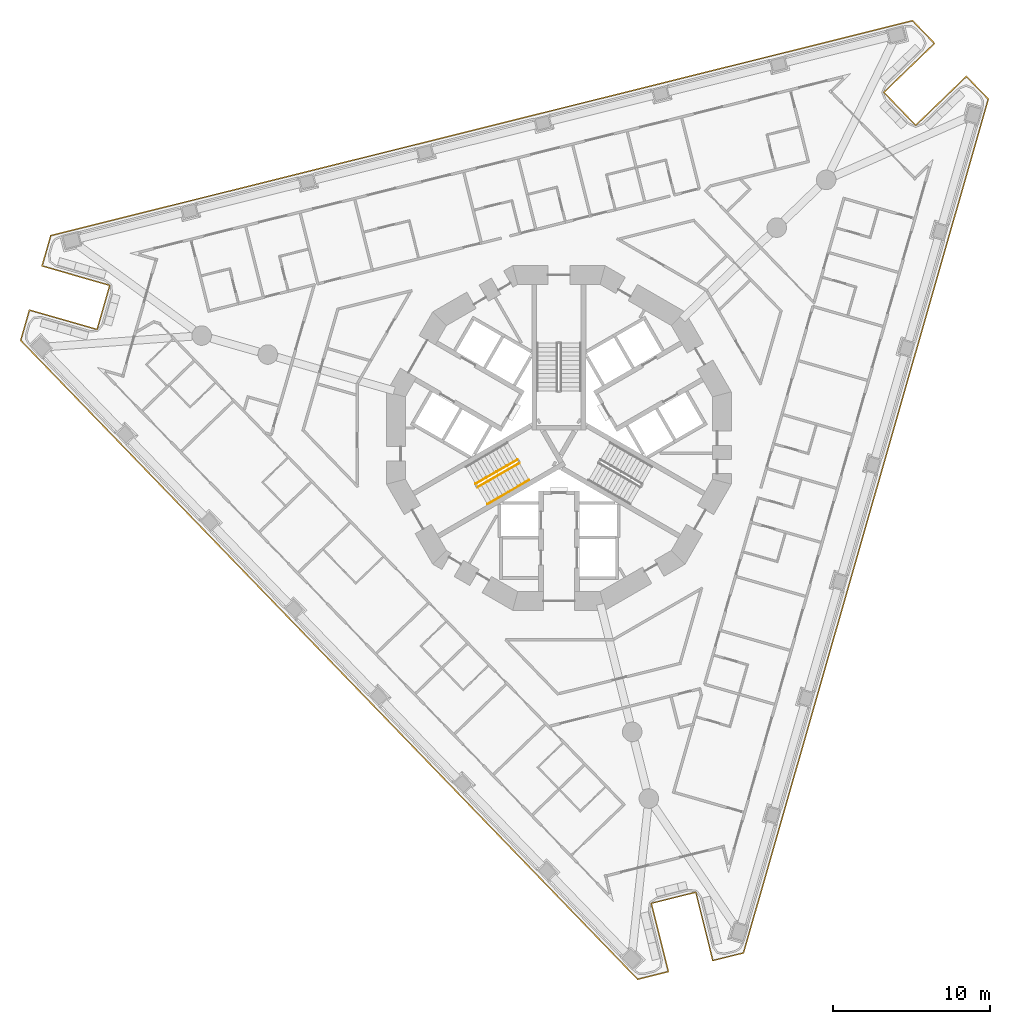
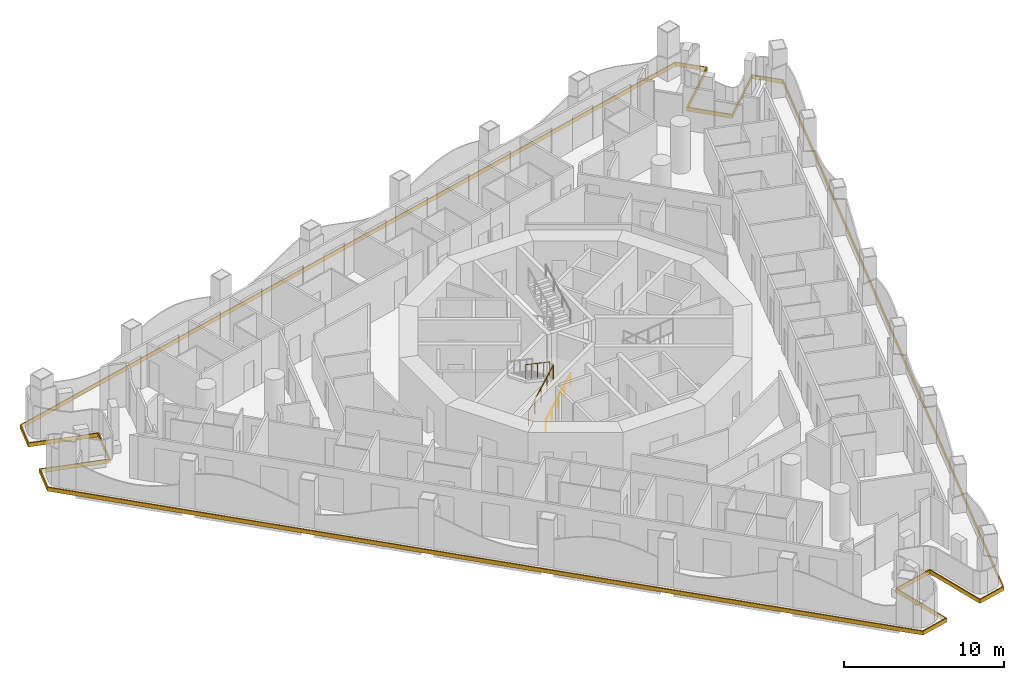
# One storey, part 13 of 19: 4 railings, 1 covering.
"""IFC4 building model written with IfcOpenShell, lengths in metres."""

from ifc_helpers import new_model, si_unit, direction, frame, origin, origin_2d, place, context, subcontext, project, spatial, polyline, circle, outline, extrude, material, layer, layer_set, type_object, element, save


model = new_model("IFC4")

# Units and contexts
model_context = context("Model", 3, precision=1e-05, world=origin(), true_north=direction((0.0, 1.0)))
body_context = subcontext(model_context, "Body", "Model", "MODEL_VIEW")
ifc_project = project(units=[si_unit("LENGTHUNIT", "METRE"), si_unit("AREAUNIT", "SQUARE_METRE"), si_unit("VOLUMEUNIT", "CUBIC_METRE"), si_unit("PLANEANGLEUNIT", "RADIAN"), si_unit("MASSUNIT", "GRAM", prefix="KILO")], contexts=[model_context])

# Site, building, storey
site_placement = place(None, origin())
site = spatial("IfcSite", under=ifc_project, at=site_placement, CompositionType="ELEMENT")
building_placement = place(site_placement, origin())
building = spatial("IfcBuilding", under=site, at=building_placement, Name="Trine Commons Tower", CompositionType="ELEMENT")
storey_placement = place(building_placement, frame((0.0, 0.0, 98.10009765625)))
storey = spatial("IfcBuildingStorey", under=building, at=storey_placement, Name="L24", CompositionType="ELEMENT", Elevation=98.10009765625)

# Covering
ifc_material_1 = material(Name="Limestone, honed", Category="masonry")
ifc_layer = layer(ifc_material_1, 0.074951171875)
ifc_layer_set = layer_set([ifc_layer], Name="Limestone, honed")
covering_type = type_object("IfcCoveringType", Name="Limestone spandrel panel 75", PredefinedType="CLADDING", material=ifc_layer_set)
covering_placement = place(storey_placement, frame((0.0, 0.0, -0.300048828125)))
element("IfcCovering", 1, at=covering_placement, inside=storey, type_object=covering_type, Name="Limestone spandrel panel 3-01", PredefinedType="CLADDING", context=body_context, shape_type="SweptSolid", body=[
    extrude(outline(polyline([(88.716064453125, 33.432373046875), (89.8046875, 29.06591796875), (91.8251953125, 29.56982421875), (107.478759765625, 84.159912109375), (106.031982421875, 85.657958984375), (102.795166015625, 82.531982421875), (100.815185546875, 84.58203125), (104.052490234375, 87.7080078125), (102.605712890625, 89.2060546875), (47.50244140625, 75.46728515625), (46.928466796875, 73.465576171875), (51.254150390625, 72.22509765625), (50.468505859375, 69.485595703125), (46.14306640625, 70.725830078125), (45.569091796875, 68.72412109375), (85.018798828125, 27.872802734375), (87.039306640625, 28.37646484375), (85.95068359375, 32.742919921875), (88.716064453125, 33.432373046875)]), holes=[polyline([(106.0302734375, 85.552001953125), (107.394775390625, 84.13916015625), (91.764892578125, 29.632080078125), (89.859375, 29.156982421875), (88.7705078125, 33.523193359375), (85.85986328125, 32.797607421875), (86.948486328125, 28.43115234375), (85.04248046875, 27.9560546875), (45.653076171875, 68.7451171875), (46.1943359375, 70.63330078125), (50.52001953125, 69.392822265625), (51.346923828125, 72.276611328125), (47.021240234375, 73.516845703125), (47.562744140625, 75.405029296875), (102.581787109375, 89.122802734375), (103.9462890625, 87.7099609375), (100.709228515625, 84.583984375), (102.793212890625, 82.426025390625), (106.0302734375, 85.552001953125)])]), origin(), (0.0, 0.0, 1.0), 0.300048828125),
])

# Railings
ifc_material_2 = material(Name="Stainless steel balustrade", Category="steel")
railing_type_1 = type_object("IfcRailingType", Name="Stair guard, steel balustrade 1100", PredefinedType="GUARDRAIL", material=ifc_material_2)
railing_1_placement = place(storey_placement, frame((74.80517578125, 59.3564453125, 0.14990234375)))
element("IfcRailing", 2, at=railing_1_placement, inside=storey, type_object=railing_type_1, Name="L24 ST2A stair guard 1", PredefinedType="GUARDRAIL", context=body_context, shape_type="SweptSolid", body=[
    extrude(circle(Radius=0.02392578125, at=origin_2d()), frame((0.0, 0.0, 1.076171875), z_axis=(0.76340495495, 0.440743040072, 0.472184759798), x_axis=(-0.499992328818, 0.866029832698, 0.0)), (0.0, 0.0, 1.0), 3.494140625),
    extrude(circle(Radius=0.02099609375, at=origin_2d()), origin(), (0.0, 0.0, 1.0), 1.052001953125),
    extrude(circle(Radius=0.02099609375, at=origin_2d()), frame((0.6669921875, 0.385009765625, 0.41259765625)), (0.0, 0.0, 1.0), 1.052001953125),
    extrude(circle(Radius=0.02099609375, at=origin_2d()), frame((1.333740234375, 0.77001953125, 0.824951171875)), (0.0, 0.0, 1.0), 1.052001953125),
    extrude(circle(Radius=0.02099609375, at=origin_2d()), frame((2.00048828125, 1.155029296875, 1.2373046875)), (0.0, 0.0, 1.0), 1.052001953125),
    extrude(circle(Radius=0.02099609375, at=origin_2d()), frame((2.66748046875, 1.5400390625, 1.64990234375)), (0.0, 0.0, 1.0), 1.052001953125),
])
railing_2_placement = place(storey_placement, frame((77.34765625, 61.113037109375, 1.949951171875)))
element("IfcRailing", 3, at=railing_2_placement, inside=storey, type_object=railing_type_1, Name="L24 ST2A stair guard 3", PredefinedType="GUARDRAIL", context=body_context, shape_type="SweptSolid", body=[
    extrude(circle(Radius=0.02392578125, at=origin_2d()), frame((0.0, 0.0, 1.076171875), z_axis=(-0.76340495495, -0.440743040072, 0.472184759798), x_axis=(0.499992328818, -0.866029832698, 0.0)), (0.0, 0.0, 1.0), 3.494140625),
    extrude(circle(Radius=0.02099609375, at=origin_2d()), origin(), (0.0, 0.0, 1.0), 1.052001953125),
    extrude(circle(Radius=0.02099609375, at=origin_2d()), frame((-0.6669921875, -0.385009765625, 0.41259765625)), (0.0, 0.0, 1.0), 1.052001953125),
    extrude(circle(Radius=0.02099609375, at=origin_2d()), frame((-1.333740234375, -0.77001953125, 0.824951171875)), (0.0, 0.0, 1.0), 1.052001953125),
    extrude(circle(Radius=0.02099609375, at=origin_2d()), frame((-2.00048828125, -1.155029296875, 1.2373046875)), (0.0, 0.0, 1.0), 1.052001953125),
    extrude(circle(Radius=0.02099609375, at=origin_2d()), frame((-2.66748046875, -1.5400390625, 1.64990234375)), (0.0, 0.0, 1.0), 1.052001953125),
])
ifc_material_3 = material(Name="Stainless steel handrail", Category="steel")
railing_type_2 = type_object("IfcRailingType", Name="Stair handrail, steel 900", PredefinedType="HANDRAIL", material=ifc_material_3)
for number, where, name in (
    (4, (75.43017578125, 58.27392578125, 0.14990234375), "L24 ST2A stair handrail 1"),
    (5, (76.763916015625, 59.0439453125, 0.974853515625), "L24 ST2A stair handrail 2"),
):
    element("IfcRailing", number, at=place(storey_placement, frame(where)), inside=storey, type_object=railing_type_2, Name=name, PredefinedType="HANDRAIL", context=body_context, shape_type="SweptSolid", body=[
        extrude(circle(Radius=0.02099609375, at=origin_2d()), frame((0.0, 0.0, 0.87890625), z_axis=(0.76340495495, 0.440743040072, 0.472184759798), x_axis=(-0.499992328818, 0.866029832698, 0.0)), (0.0, 0.0, 1.0), 1.7470703125),
        extrude(circle(Radius=0.01513671875, at=origin_2d()), origin(), (0.0, 0.0, 1.0), 0.85791015625),
        extrude(circle(Radius=0.01513671875, at=origin_2d()), frame((0.6669921875, 0.385009765625, 0.41259765625)), (0.0, 0.0, 1.0), 0.85791015625),
        extrude(circle(Radius=0.01513671875, at=origin_2d()), frame((1.333740234375, 0.77001953125, 0.824951171875)), (0.0, 0.0, 1.0), 0.85791015625),
    ])

save(model, "model.ifc")
